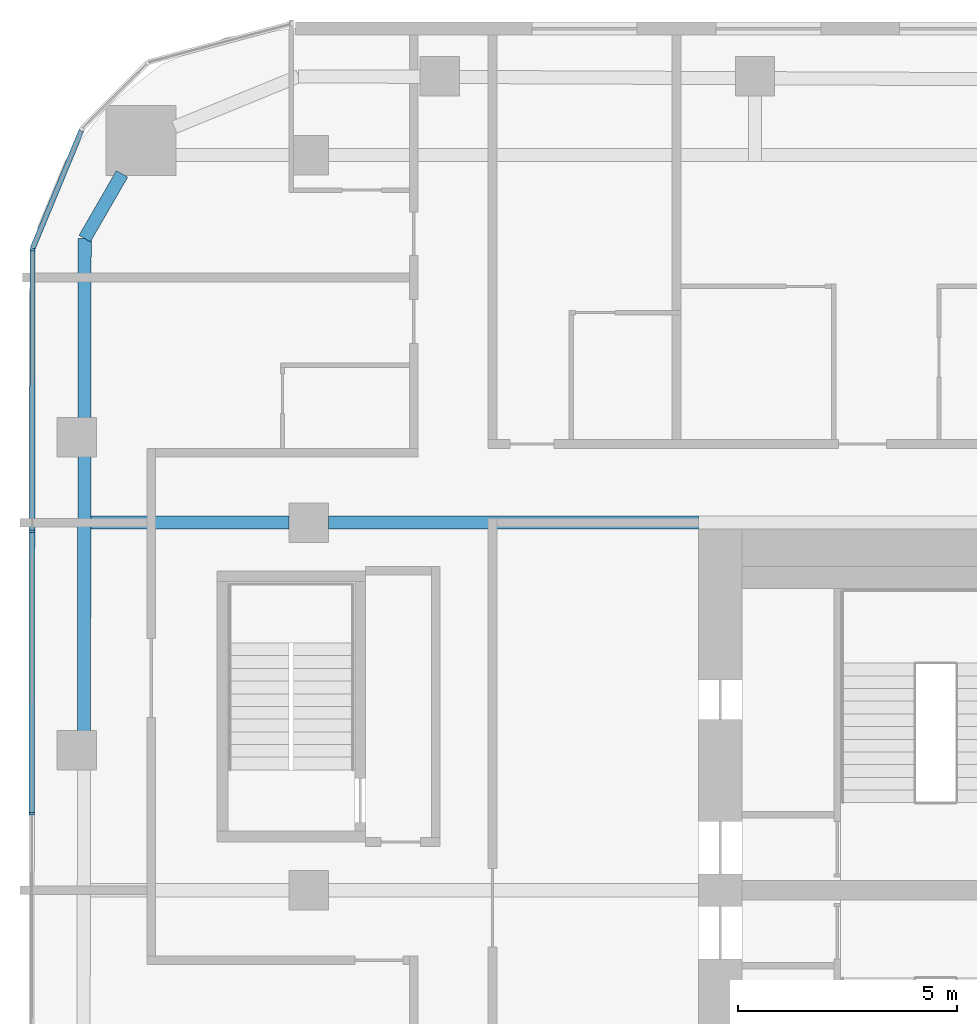
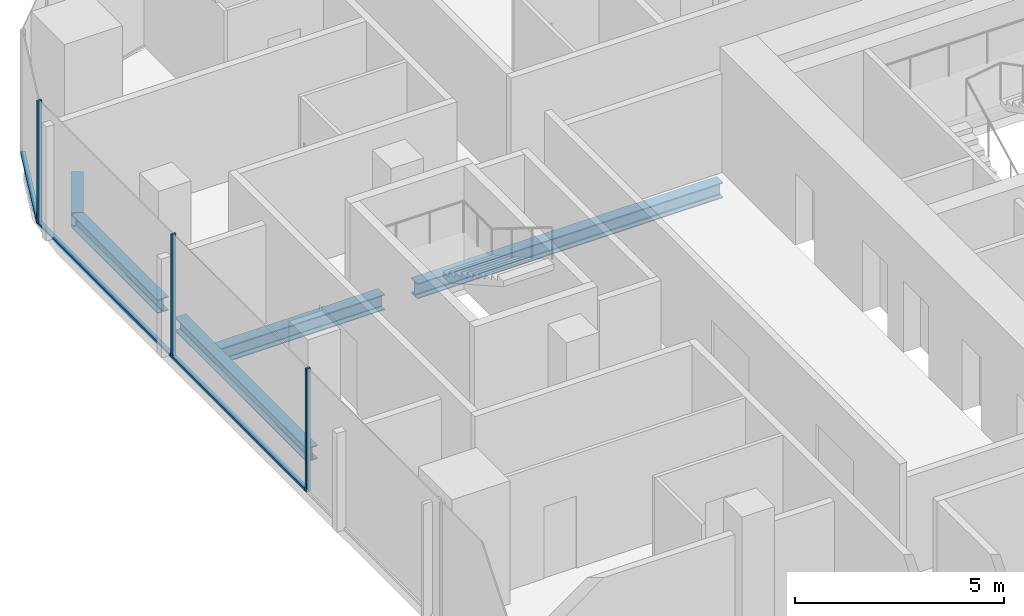
# One storey, part 8 of 23: 6 members, 5 beams, 2 elements without a shape of their own.
"""IFC4 building model written with IfcOpenShell, lengths in metres."""

from ifc_helpers import new_model, si_unit, direction, frame, origin, origin_2d, place, context, subcontext, project, spatial, rectangle, i_section, extrude, material, layer, layer_set, material_profile, profile_set, type_object, element, aggregate, save


model = new_model("IFC4")

# Units and contexts
model_context = context("Model", 3, precision=1e-05, world=origin(), true_north=direction((0.0, 1.0)))
body_context = subcontext(model_context, "Body", "Model", "MODEL_VIEW")
ifc_project = project(units=[si_unit("LENGTHUNIT", "METRE"), si_unit("AREAUNIT", "SQUARE_METRE"), si_unit("VOLUMEUNIT", "CUBIC_METRE"), si_unit("PLANEANGLEUNIT", "RADIAN"), si_unit("MASSUNIT", "GRAM", prefix="KILO")], contexts=[model_context])

# Site, building, storey
site_placement = place(None, origin())
site = spatial("IfcSite", under=ifc_project, at=site_placement, CompositionType="ELEMENT")
building_placement = place(site_placement, origin())
building = spatial("IfcBuilding", under=site, at=building_placement, Name="Marenta Gate Hotel Tower", CompositionType="ELEMENT")
storey_placement = place(building_placement, frame((0.0, 0.0, 126.5)))
storey = spatial("IfcBuildingStorey", under=building, at=storey_placement, Name="L28", CompositionType="ELEMENT", Elevation=126.5)

# Beams
ifc_material_1 = material(Name="Steel S355", Category="steel")
ifc_material_profile_1 = material_profile(ifc_material_1, i_section(OverallWidth=0.300048828125, OverallDepth=0.39990234375, WebThickness=0.013427734375, FlangeThickness=0.02392578125, FilletRadius=0.027099609375, at=origin_2d()), Name="HEB 400")
ifc_profile_set_1 = profile_set([ifc_material_profile_1], Name="Steel S355")
beam_type_1 = type_object("IfcBeamType", Name="Edge beam HEB 400", PredefinedType="SPANDREL", material=ifc_profile_set_1)
beam_1_placement = place(storey_placement, frame((-26.136962890625, 12.01318359375, -0.4599609375), z_axis=(0.001387763206, 0.999999037056, 0.0), x_axis=(-0.999999037056, 0.001387763206, 0.0)))
element("IfcBeam", 1, at=beam_1_placement, inside=storey, type_object=beam_type_1, Name="L28-EB-9", PredefinedType="SPANDREL", context=body_context, shape_type="SweptSolid", body=[
    extrude(i_section(OverallWidth=0.300048828125, OverallDepth=0.39990234375, WebThickness=0.013427734375, FlangeThickness=0.02392578125, FilletRadius=0.027099609375, at=origin_2d()), origin(), (0.0, 0.0, 1.0), 6.333251953125),
])
beam_2_placement = place(storey_placement, frame((-26.126953125, 19.16650390625, -0.4599609375), z_axis=(0.001361187116, 0.999999073584, 0.0), x_axis=(-0.999999073584, 0.001361187116, 0.0)))
element("IfcBeam", 2, at=beam_2_placement, inside=storey, type_object=beam_type_1, Name="L28-EB-10", PredefinedType="SPANDREL", context=body_context, shape_type="SweptSolid", body=[
    extrude(i_section(OverallWidth=0.300048828125, OverallDepth=0.39990234375, WebThickness=0.013427734375, FlangeThickness=0.02392578125, FilletRadius=0.027099609375, at=origin_2d()), origin(), (0.0, 0.0, 1.0), 4.125244140625),
])
beam_3_placement = place(storey_placement, frame((-26.121337890625, 23.291748046875, -0.4599609375), z_axis=(0.500015459501, 0.866016478054, 0.0), x_axis=(-0.866016478054, 0.500015459501, 0.0)))
element("IfcBeam", 3, at=beam_3_placement, inside=storey, type_object=beam_type_1, Name="L28-EB-11", PredefinedType="SPANDREL", context=body_context, shape_type="SweptSolid", body=[
    extrude(i_section(OverallWidth=0.300048828125, OverallDepth=0.39990234375, WebThickness=0.013427734375, FlangeThickness=0.02392578125, FilletRadius=0.027099609375, at=origin_2d()), origin(), (0.0, 0.0, 1.0), 1.70703125),
])
ifc_material_2 = material(Name="Steel S355", Category="steel")
ifc_material_profile_2 = material_profile(ifc_material_2, i_section(OverallWidth=0.300048828125, OverallDepth=0.449951171875, WebThickness=0.013916015625, FlangeThickness=0.02587890625, FilletRadius=0.027099609375, at=origin_2d()), Name="HEB 450")
ifc_profile_set_2 = profile_set([ifc_material_profile_2], Name="Steel S355")
beam_type_2 = type_object("IfcBeamType", Name="Girder HEB 450", PredefinedType="BEAM", material=ifc_profile_set_2)
beam_4_placement = place(storey_placement, frame((-25.980224609375, 16.800048828125, -0.485107421875), z_axis=(1.0, 0.0, 0.0), x_axis=(0.0, 1.0, 0.0)))
element("IfcBeam", 4, at=beam_4_placement, inside=storey, type_object=beam_type_2, Name="L28-GD-24", PredefinedType="BEAM", context=body_context, shape_type="SweptSolid", body=[
    extrude(i_section(OverallWidth=0.300048828125, OverallDepth=0.449951171875, WebThickness=0.013916015625, FlangeThickness=0.02587890625, FilletRadius=0.027099609375, at=origin_2d()), origin(), (0.0, 0.0, 1.0), 4.5302734375),
])
beam_5_placement = place(storey_placement, frame((-20.550048828125, 16.800048828125, -0.485107421875), z_axis=(1.0, 0.0, 0.0), x_axis=(0.0, 1.0, 0.0)))
element("IfcBeam", 5, at=beam_5_placement, inside=storey, type_object=beam_type_2, Name="L28-GD-25", PredefinedType="BEAM", context=body_context, shape_type="SweptSolid", body=[
    extrude(i_section(OverallWidth=0.300048828125, OverallDepth=0.449951171875, WebThickness=0.013916015625, FlangeThickness=0.02587890625, FilletRadius=0.027099609375, at=origin_2d()), origin(), (0.0, 0.0, 1.0), 8.449951171875),
])

# Curtain wall, members
ifc_material_3 = material(Name="Tinted insulated glass in bronze anodised frame", Category="glass")
ifc_layer = layer(ifc_material_3, 0.1201171875)
ifc_layer_set = layer_set([ifc_layer], Name="Tinted insulated glass in bronze anodised frame")
curtain_wall_type = type_object("IfcCurtainWallType", Name="Tower unitised curtain wall CW1", PredefinedType="NOTDEFINED", material=ifc_layer_set)
curtain_wall_1_placement = place(storey_placement, origin())
curtain_wall_1 = element("IfcCurtainWall", 6, at=curtain_wall_1_placement, inside=storey, type_object=curtain_wall_type, Name="CW1 run G03", PredefinedType="NOTDEFINED")
ifc_material_4 = material(Name="Bronze anodised aluminium", Category="aluminium")
ifc_material_profile_3 = material_profile(ifc_material_4, rectangle(XDim=0.1201171875, YDim=0.06005859375, at=origin_2d()), Name="Mullion CW1 60x120 bronze anodised aluminium")
ifc_profile_set_3 = profile_set([ifc_material_profile_3], Name="Bronze anodised aluminium")
member_type_1 = type_object("IfcMemberType", Name="Mullion CW1 60x120 bronze anodised aluminium", PredefinedType="MULLION", material=ifc_profile_set_3)
member_1_placement = place(storey_placement, frame((-27.312255859375, 23.0361328125, 0.0), z_axis=(0.0, 0.0, 1.0), x_axis=(0.99999877375, -0.001566045546, 0.0)))
member_1 = element("IfcMember", 7, at=member_1_placement, type_object=member_type_1, Name="CW1 mullion 1", PredefinedType="MULLION", context=body_context, shape_type="SweptSolid", body=[
    extrude(rectangle(XDim=0.1201171875, YDim=0.06005859375, at=origin_2d()), origin(), (0.0, 0.0, 1.0), 3.60009765625),
])
member_2_placement = place(storey_placement, frame((-27.322509765625, 16.606201171875, 0.0), z_axis=(0.0, 0.0, 1.0), x_axis=(0.99999877375, -0.001566045546, 0.0)))
member_2 = element("IfcMember", 8, at=member_2_placement, type_object=member_type_1, Name="CW1 mullion 2", PredefinedType="MULLION", context=body_context, shape_type="SweptSolid", body=[
    extrude(rectangle(XDim=0.1201171875, YDim=0.06005859375, at=origin_2d()), origin(), (0.0, 0.0, 1.0), 3.60009765625),
])
member_3_placement = place(storey_placement, frame((-27.33251953125, 10.146240234375, 0.0), z_axis=(0.0, 0.0, 1.0), x_axis=(0.99999877375, -0.001566045546, 0.0)))
member_3 = element("IfcMember", 9, at=member_3_placement, type_object=member_type_1, Name="CW1 mullion 3", PredefinedType="MULLION", context=body_context, shape_type="SweptSolid", body=[
    extrude(rectangle(XDim=0.1201171875, YDim=0.06005859375, at=origin_2d()), origin(), (0.0, 0.0, 1.0), 3.60009765625),
])

# Curtain wall, member
curtain_wall_2_placement = place(storey_placement, origin())
curtain_wall_2 = element("IfcCurtainWall", 10, at=curtain_wall_2_placement, inside=storey, type_object=curtain_wall_type, Name="CW1 run G02", PredefinedType="NOTDEFINED")
ifc_material_5 = material(Name="Bronze anodised aluminium", Category="aluminium")
ifc_material_profile_4 = material_profile(ifc_material_5, rectangle(XDim=0.1201171875, YDim=0.06005859375, at=origin_2d()), Name="Transom CW1 60x120 bronze anodised aluminium")
ifc_profile_set_4 = profile_set([ifc_material_profile_4], Name="Bronze anodised aluminium")
member_type_2 = type_object("IfcMemberType", Name="Transom CW1 60x120 bronze anodised aluminium", PredefinedType="USERDEFINED", material=ifc_profile_set_4)
member_4_placement = place(storey_placement, frame((-26.1953125, 25.76318359375, 0.030029296875), z_axis=(-0.382625093284, -0.923903695192, 0.0), x_axis=(0.923903695192, -0.382625093284, 0.0)))
member_4 = element("IfcMember", 11, at=member_4_placement, type_object=member_type_2, Name="CW1 transom 1.1", ObjectType="TRANSOM", PredefinedType="USERDEFINED", context=body_context, shape_type="SweptSolid", body=[
    extrude(rectangle(XDim=0.1201171875, YDim=0.06005859375, at=origin_2d()), origin(), (0.0, 0.0, 1.0), 2.919189453125),
])
aggregate(curtain_wall_2, [member_4])

# Member
member_5_placement = place(storey_placement, frame((-27.3125, 23.006103515625, 0.030029296875), z_axis=(-0.001533093902, -0.999998824811, 0.0), x_axis=(0.999998824811, -0.001533093902, 0.0)))
member_5 = element("IfcMember", 12, at=member_5_placement, type_object=member_type_2, Name="CW1 transom 1.1", ObjectType="TRANSOM", PredefinedType="USERDEFINED", context=body_context, shape_type="SweptSolid", body=[
    extrude(rectangle(XDim=0.1201171875, YDim=0.06005859375, at=origin_2d()), origin(), (0.0, 0.0, 1.0), 6.369873046875),
])

member_6_placement = place(storey_placement, frame((-27.322509765625, 16.576171875, 0.030029296875), z_axis=(-0.001564047831, -0.999998776876, 0.0), x_axis=(0.999998776876, -0.001564047831, 0.0)))
member_6 = element("IfcMember", 13, at=member_6_placement, type_object=member_type_2, Name="CW1 transom 2.1", ObjectType="TRANSOM", PredefinedType="USERDEFINED", context=body_context, shape_type="SweptSolid", body=[
    extrude(rectangle(XDim=0.1201171875, YDim=0.06005859375, at=origin_2d()), origin(), (0.0, 0.0, 1.0), 6.39990234375),
])

aggregate(curtain_wall_1, [member_1, member_2, member_3, member_5, member_6])

save(model, "model.ifc")
